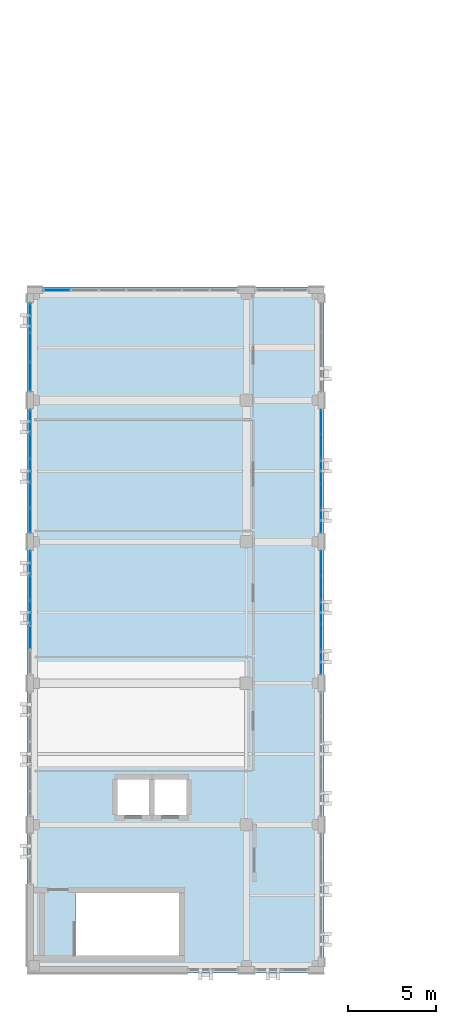
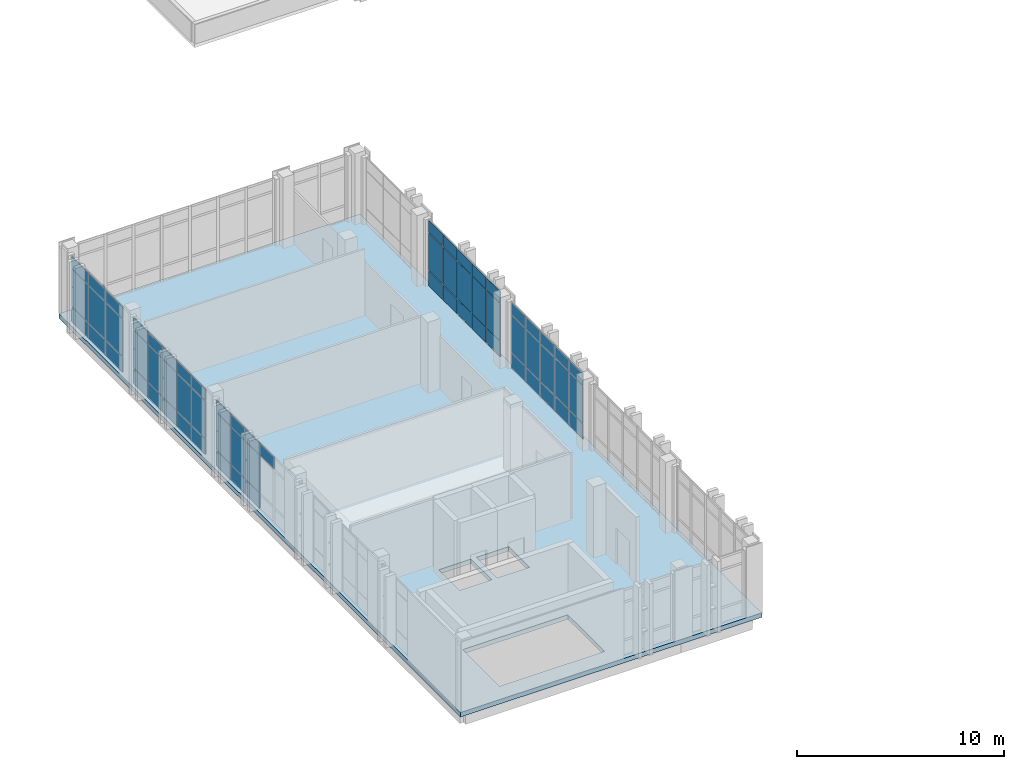
# One storey, part 32 of 48: 65 plates, 1 slab, 6 elements without a shape of their own.
"""IFC4 building model written with IfcOpenShell, lengths in metres."""

from ifc_helpers import new_model, si_unit, direction, frame, origin, origin_2d, place, context, subcontext, project, spatial, polyline, rectangle, outline, extrude, material, layer, layer_set, type_object, element, aggregate, save


model = new_model("IFC4")

# Units and contexts
model_context = context("Model", 3, precision=1e-05, world=origin(), true_north=direction((0.0, 1.0)))
body_context = subcontext(model_context, "Body", "Model", "MODEL_VIEW")
ifc_project = project(units=[si_unit("LENGTHUNIT", "METRE"), si_unit("AREAUNIT", "SQUARE_METRE"), si_unit("VOLUMEUNIT", "CUBIC_METRE"), si_unit("PLANEANGLEUNIT", "RADIAN"), si_unit("MASSUNIT", "GRAM", prefix="KILO")], contexts=[model_context])

# Site, building, storey
site_placement = place(None, origin())
site = spatial("IfcSite", under=ifc_project, at=site_placement, CompositionType="ELEMENT")
building_placement = place(site_placement, origin())
building = spatial("IfcBuilding", under=site, at=building_placement, Name="Qalavern Law Courts", CompositionType="ELEMENT")
storey_placement = place(building_placement, frame((0.0, 0.0, 31.199951171875)))
storey = spatial("IfcBuildingStorey", under=building, at=storey_placement, Name="L07", CompositionType="ELEMENT", Elevation=31.199951171875)

# Curtain wall, plates
ifc_material_1 = material(Name="Anodised aluminium and insulated glazing", Category="aluminium")
ifc_layer_1 = layer(ifc_material_1, 0.159912109375)
ifc_layer_set_1 = layer_set([ifc_layer_1], Name="Anodised aluminium and insulated glazing")
curtain_wall_type = type_object("IfcCurtainWallType", Name="ENV-CW-CHAMB", PredefinedType="USERDEFINED", material=ifc_layer_set_1)
curtain_wall_1_placement = place(storey_placement, origin())
curtain_wall_1 = element("IfcCurtainWall", 1, at=curtain_wall_1_placement, inside=storey, type_object=curtain_wall_type, Name="V3 unitised curtain wall L07 west 1", ObjectType="UNITISED CURTAIN WALL", PredefinedType="USERDEFINED")
ifc_material_2 = material(Name="Insulated low-E acoustic glazing", Category="glass")
ifc_layer_2 = layer(ifc_material_2, 0.035888671875)
ifc_layer_set_2 = layer_set([ifc_layer_2], Name="Insulated low-E acoustic glazing")
plate_type_1 = type_object("IfcPlateType", Name="ENV-CWP-36", PredefinedType="CURTAIN_PANEL", material=ifc_layer_set_2)
plate_1_placement = place(storey_placement, frame((2.177490234375, 78.0546875, 0.048095703125), z_axis=(0.0, 0.0, 1.0), x_axis=(0.0, -1.0, 0.0)))
plate_1 = element("IfcPlate", 2, at=plate_1_placement, type_object=plate_type_1, Name="CW-04 panel 1.1", PredefinedType="CURTAIN_PANEL", context=body_context, shape_type="SweptSolid", body=[
    extrude(rectangle(XDim=1.5947265625, YDim=0.035888671875, at=origin_2d()), origin(), (0.0, 0.0, 1.0), 0.8779296875),
])
plate_2_placement = place(storey_placement, frame((2.177490234375, 78.0546875, 0.97412109375), z_axis=(0.0, 0.0, 1.0), x_axis=(0.0, -1.0, 0.0)))
plate_2 = element("IfcPlate", 3, at=plate_2_placement, type_object=plate_type_1, Name="CW-04 panel 1.2", PredefinedType="CURTAIN_PANEL", context=body_context, shape_type="SweptSolid", body=[
    extrude(rectangle(XDim=1.5947265625, YDim=0.035888671875, at=origin_2d()), origin(), (0.0, 0.0, 1.0), 2.19189453125),
])
plate_3_placement = place(storey_placement, frame((2.177490234375, 78.0546875, 3.2138671875), z_axis=(0.0, 0.0, 1.0), x_axis=(0.0, -1.0, 0.0)))
plate_3 = element("IfcPlate", 4, at=plate_3_placement, type_object=plate_type_1, Name="CW-04 panel 1.3", PredefinedType="CURTAIN_PANEL", context=body_context, shape_type="SweptSolid", body=[
    extrude(rectangle(XDim=1.5947265625, YDim=0.035888671875, at=origin_2d()), origin(), (0.0, 0.0, 1.0), 0.677978515625),
])
plate_4_placement = place(storey_placement, frame((2.177490234375, 76.39990234375, 0.048095703125), z_axis=(0.0, 0.0, 1.0), x_axis=(0.0, -1.0, 0.0)))
plate_4 = element("IfcPlate", 5, at=plate_4_placement, type_object=plate_type_1, Name="CW-04 panel 2.1", PredefinedType="CURTAIN_PANEL", context=body_context, shape_type="SweptSolid", body=[
    extrude(rectangle(XDim=1.61865234375, YDim=0.035888671875, at=origin_2d()), origin(), (0.0, 0.0, 1.0), 0.8779296875),
])
plate_5_placement = place(storey_placement, frame((2.177490234375, 76.39990234375, 0.97412109375), z_axis=(0.0, 0.0, 1.0), x_axis=(0.0, -1.0, 0.0)))
plate_5 = element("IfcPlate", 6, at=plate_5_placement, type_object=plate_type_1, Name="CW-04 panel 2.2", PredefinedType="CURTAIN_PANEL", context=body_context, shape_type="SweptSolid", body=[
    extrude(rectangle(XDim=1.61865234375, YDim=0.035888671875, at=origin_2d()), origin(), (0.0, 0.0, 1.0), 2.19189453125),
])
plate_6_placement = place(storey_placement, frame((2.177490234375, 76.39990234375, 3.2138671875), z_axis=(0.0, 0.0, 1.0), x_axis=(0.0, -1.0, 0.0)))
plate_6 = element("IfcPlate", 7, at=plate_6_placement, type_object=plate_type_1, Name="CW-04 panel 2.3", PredefinedType="CURTAIN_PANEL", context=body_context, shape_type="SweptSolid", body=[
    extrude(rectangle(XDim=1.61865234375, YDim=0.035888671875, at=origin_2d()), origin(), (0.0, 0.0, 1.0), 0.677978515625),
])
plate_7_placement = place(storey_placement, frame((2.177490234375, 74.745361328125, 0.048095703125), z_axis=(0.0, 0.0, 1.0), x_axis=(0.0, -1.0, 0.0)))
plate_7 = element("IfcPlate", 8, at=plate_7_placement, type_object=plate_type_1, Name="CW-04 panel 3.1", PredefinedType="CURTAIN_PANEL", context=body_context, shape_type="SweptSolid", body=[
    extrude(rectangle(XDim=1.5947265625, YDim=0.035888671875, at=origin_2d()), origin(), (0.0, 0.0, 1.0), 0.8779296875),
])
plate_8_placement = place(storey_placement, frame((2.177490234375, 74.745361328125, 0.97412109375), z_axis=(0.0, 0.0, 1.0), x_axis=(0.0, -1.0, 0.0)))
plate_8 = element("IfcPlate", 9, at=plate_8_placement, type_object=plate_type_1, Name="CW-04 panel 3.2", PredefinedType="CURTAIN_PANEL", context=body_context, shape_type="SweptSolid", body=[
    extrude(rectangle(XDim=1.5947265625, YDim=0.035888671875, at=origin_2d()), origin(), (0.0, 0.0, 1.0), 2.19189453125),
])
plate_9_placement = place(storey_placement, frame((2.177490234375, 74.745361328125, 3.2138671875), z_axis=(0.0, 0.0, 1.0), x_axis=(0.0, -1.0, 0.0)))
plate_9 = element("IfcPlate", 10, at=plate_9_placement, type_object=plate_type_1, Name="CW-04 panel 3.3", PredefinedType="CURTAIN_PANEL", context=body_context, shape_type="SweptSolid", body=[
    extrude(rectangle(XDim=1.5947265625, YDim=0.035888671875, at=origin_2d()), origin(), (0.0, 0.0, 1.0), 0.677978515625),
])
aggregate(curtain_wall_1, [plate_1, plate_2, plate_3, plate_4, plate_5, plate_6, plate_7, plate_8, plate_9])

# Curtain wall, plate
curtain_wall_2_placement = place(storey_placement, origin())
curtain_wall_2 = element("IfcCurtainWall", 11, at=curtain_wall_2_placement, inside=storey, type_object=curtain_wall_type, Name="V3 unitised curtain wall L07 north 2", ObjectType="UNITISED CURTAIN WALL", PredefinedType="USERDEFINED")
ifc_layer_3 = layer(ifc_material_2, 0.0400390625)
ifc_layer_set_3 = layer_set([ifc_layer_3], Name="Insulated low-E acoustic glazing")
plate_type_2 = type_object("IfcPlateType", Name="ENV-CWP-40", PredefinedType="CURTAIN_PANEL", material=ifc_layer_set_3)
plate_10_placement = place(storey_placement, frame((3.69775390625, 79.62255859375, 0.048095703125), z_axis=(0.0, 0.0, 1.0), x_axis=(-1.0, 0.0, 0.0)))
plate_10 = element("IfcPlate", 12, at=plate_10_placement, type_object=plate_type_2, Name="CW-04 panel 7.1", PredefinedType="CURTAIN_PANEL", context=body_context, shape_type="SweptSolid", body=[
    extrude(rectangle(XDim=1.49951171875, YDim=0.0400390625, at=origin_2d()), origin(), (0.0, 0.0, 1.0), 0.8779296875),
])
aggregate(curtain_wall_2, [plate_10])

# Curtain wall, plates
curtain_wall_3_placement = place(storey_placement, origin())
curtain_wall_3 = element("IfcCurtainWall", 13, at=curtain_wall_3_placement, inside=storey, type_object=curtain_wall_type, Name="V3 unitised curtain wall L07 west 2", ObjectType="UNITISED CURTAIN WALL", PredefinedType="USERDEFINED")
plate_11_placement = place(storey_placement, frame((2.177490234375, 72.18798828125, 0.048095703125), z_axis=(0.0, 0.0, 1.0), x_axis=(0.0, -1.0, 0.0)))
plate_11 = element("IfcPlate", 14, at=plate_11_placement, type_object=plate_type_2, Name="CW-04 panel 1.1", PredefinedType="CURTAIN_PANEL", context=body_context, shape_type="SweptSolid", body=[
    extrude(rectangle(XDim=1.327880859375, YDim=0.0400390625, at=origin_2d()), origin(), (0.0, 0.0, 1.0), 0.8779296875),
])
plate_12_placement = place(storey_placement, frame((2.177490234375, 72.18798828125, 0.97412109375), z_axis=(0.0, 0.0, 1.0), x_axis=(0.0, -1.0, 0.0)))
plate_12 = element("IfcPlate", 15, at=plate_12_placement, type_object=plate_type_2, Name="CW-04 panel 1.2", PredefinedType="CURTAIN_PANEL", context=body_context, shape_type="SweptSolid", body=[
    extrude(rectangle(XDim=1.327880859375, YDim=0.0400390625, at=origin_2d()), origin(), (0.0, 0.0, 1.0), 2.19189453125),
])
plate_13_placement = place(storey_placement, frame((2.177490234375, 72.18798828125, 3.2138671875), z_axis=(0.0, 0.0, 1.0), x_axis=(0.0, -1.0, 0.0)))
plate_13 = element("IfcPlate", 16, at=plate_13_placement, type_object=plate_type_2, Name="CW-04 panel 1.3", PredefinedType="CURTAIN_PANEL", context=body_context, shape_type="SweptSolid", body=[
    extrude(rectangle(XDim=1.327880859375, YDim=0.0400390625, at=origin_2d()), origin(), (0.0, 0.0, 1.0), 0.677978515625),
])
plate_14_placement = place(storey_placement, frame((2.177490234375, 70.800048828125, 0.048095703125), z_axis=(0.0, 0.0, 1.0), x_axis=(0.0, -1.0, 0.0)))
plate_14 = element("IfcPlate", 17, at=plate_14_placement, type_object=plate_type_2, Name="CW-04 panel 2.1", PredefinedType="CURTAIN_PANEL", context=body_context, shape_type="SweptSolid", body=[
    extrude(rectangle(XDim=1.35205078125, YDim=0.0400390625, at=origin_2d()), origin(), (0.0, 0.0, 1.0), 0.8779296875),
])
plate_15_placement = place(storey_placement, frame((2.177490234375, 70.800048828125, 0.97412109375), z_axis=(0.0, 0.0, 1.0), x_axis=(0.0, -1.0, 0.0)))
plate_15 = element("IfcPlate", 18, at=plate_15_placement, type_object=plate_type_2, Name="CW-04 panel 2.2", PredefinedType="CURTAIN_PANEL", context=body_context, shape_type="SweptSolid", body=[
    extrude(rectangle(XDim=1.35205078125, YDim=0.0400390625, at=origin_2d()), origin(), (0.0, 0.0, 1.0), 2.19189453125),
])
plate_16_placement = place(storey_placement, frame((2.177490234375, 70.800048828125, 3.2138671875), z_axis=(0.0, 0.0, 1.0), x_axis=(0.0, -1.0, 0.0)))
plate_16 = element("IfcPlate", 19, at=plate_16_placement, type_object=plate_type_2, Name="CW-04 panel 2.3", PredefinedType="CURTAIN_PANEL", context=body_context, shape_type="SweptSolid", body=[
    extrude(rectangle(XDim=1.35205078125, YDim=0.0400390625, at=origin_2d()), origin(), (0.0, 0.0, 1.0), 0.677978515625),
])
plate_17_placement = place(storey_placement, frame((2.177490234375, 69.39990234375, 0.048095703125), z_axis=(0.0, 0.0, 1.0), x_axis=(0.0, -1.0, 0.0)))
plate_17 = element("IfcPlate", 20, at=plate_17_placement, type_object=plate_type_2, Name="CW-04 panel 3.1", PredefinedType="CURTAIN_PANEL", context=body_context, shape_type="SweptSolid", body=[
    extrude(rectangle(XDim=1.35205078125, YDim=0.0400390625, at=origin_2d()), origin(), (0.0, 0.0, 1.0), 0.8779296875),
])
plate_18_placement = place(storey_placement, frame((2.177490234375, 69.39990234375, 0.97412109375), z_axis=(0.0, 0.0, 1.0), x_axis=(0.0, -1.0, 0.0)))
plate_18 = element("IfcPlate", 21, at=plate_18_placement, type_object=plate_type_2, Name="CW-04 panel 3.2", PredefinedType="CURTAIN_PANEL", context=body_context, shape_type="SweptSolid", body=[
    extrude(rectangle(XDim=1.35205078125, YDim=0.0400390625, at=origin_2d()), origin(), (0.0, 0.0, 1.0), 2.19189453125),
])
plate_19_placement = place(storey_placement, frame((2.177490234375, 69.39990234375, 3.2138671875), z_axis=(0.0, 0.0, 1.0), x_axis=(0.0, -1.0, 0.0)))
plate_19 = element("IfcPlate", 22, at=plate_19_placement, type_object=plate_type_2, Name="CW-04 panel 3.3", PredefinedType="CURTAIN_PANEL", context=body_context, shape_type="SweptSolid", body=[
    extrude(rectangle(XDim=1.35205078125, YDim=0.0400390625, at=origin_2d()), origin(), (0.0, 0.0, 1.0), 0.677978515625),
])
plate_20_placement = place(storey_placement, frame((2.177490234375, 68.0, 0.048095703125), z_axis=(0.0, 0.0, 1.0), x_axis=(0.0, -1.0, 0.0)))
plate_20 = element("IfcPlate", 23, at=plate_20_placement, type_object=plate_type_2, Name="CW-04 panel 4.1", PredefinedType="CURTAIN_PANEL", context=body_context, shape_type="SweptSolid", body=[
    extrude(rectangle(XDim=1.35205078125, YDim=0.0400390625, at=origin_2d()), origin(), (0.0, 0.0, 1.0), 0.8779296875),
])
plate_21_placement = place(storey_placement, frame((2.177490234375, 68.0, 0.97412109375), z_axis=(0.0, 0.0, 1.0), x_axis=(0.0, -1.0, 0.0)))
plate_21 = element("IfcPlate", 24, at=plate_21_placement, type_object=plate_type_2, Name="CW-04 panel 4.2", PredefinedType="CURTAIN_PANEL", context=body_context, shape_type="SweptSolid", body=[
    extrude(rectangle(XDim=1.35205078125, YDim=0.0400390625, at=origin_2d()), origin(), (0.0, 0.0, 1.0), 2.19189453125),
])
plate_22_placement = place(storey_placement, frame((2.177490234375, 68.0, 3.2138671875), z_axis=(0.0, 0.0, 1.0), x_axis=(0.0, -1.0, 0.0)))
plate_22 = element("IfcPlate", 25, at=plate_22_placement, type_object=plate_type_2, Name="CW-04 panel 4.3", PredefinedType="CURTAIN_PANEL", context=body_context, shape_type="SweptSolid", body=[
    extrude(rectangle(XDim=1.35205078125, YDim=0.0400390625, at=origin_2d()), origin(), (0.0, 0.0, 1.0), 0.677978515625),
])
plate_23_placement = place(storey_placement, frame((2.177490234375, 66.612060546875, 0.048095703125), z_axis=(0.0, 0.0, 1.0), x_axis=(0.0, -1.0, 0.0)))
plate_23 = element("IfcPlate", 26, at=plate_23_placement, type_object=plate_type_2, Name="CW-04 panel 5.1", PredefinedType="CURTAIN_PANEL", context=body_context, shape_type="SweptSolid", body=[
    extrude(rectangle(XDim=1.327880859375, YDim=0.0400390625, at=origin_2d()), origin(), (0.0, 0.0, 1.0), 0.8779296875),
])
plate_24_placement = place(storey_placement, frame((2.177490234375, 66.612060546875, 0.97412109375), z_axis=(0.0, 0.0, 1.0), x_axis=(0.0, -1.0, 0.0)))
plate_24 = element("IfcPlate", 27, at=plate_24_placement, type_object=plate_type_2, Name="CW-04 panel 5.2", PredefinedType="CURTAIN_PANEL", context=body_context, shape_type="SweptSolid", body=[
    extrude(rectangle(XDim=1.327880859375, YDim=0.0400390625, at=origin_2d()), origin(), (0.0, 0.0, 1.0), 2.19189453125),
])
plate_25_placement = place(storey_placement, frame((2.177490234375, 66.612060546875, 3.2138671875), z_axis=(0.0, 0.0, 1.0), x_axis=(0.0, -1.0, 0.0)))
plate_25 = element("IfcPlate", 28, at=plate_25_placement, type_object=plate_type_2, Name="CW-04 panel 5.3", PredefinedType="CURTAIN_PANEL", context=body_context, shape_type="SweptSolid", body=[
    extrude(rectangle(XDim=1.327880859375, YDim=0.0400390625, at=origin_2d()), origin(), (0.0, 0.0, 1.0), 0.677978515625),
])
aggregate(curtain_wall_3, [plate_11, plate_12, plate_13, plate_14, plate_15, plate_16, plate_17, plate_18, plate_19, plate_20, plate_21, plate_22, plate_23, plate_24, plate_25])

curtain_wall_4_placement = place(storey_placement, origin())
curtain_wall_4 = element("IfcCurtainWall", 29, at=curtain_wall_4_placement, inside=storey, type_object=curtain_wall_type, Name="V3 unitised curtain wall L07 east 3", ObjectType="UNITISED CURTAIN WALL", PredefinedType="USERDEFINED")
ifc_layer_4 = layer(ifc_material_2, 0.0439453125)
ifc_layer_set_4 = layer_set([ifc_layer_4], Name="Insulated low-E acoustic glazing")
plate_type_3 = type_object("IfcPlateType", Name="ENV-CWP-44", PredefinedType="CURTAIN_PANEL", material=ifc_layer_set_4)
plate_26_placement = place(storey_placement, frame((18.62255859375, 58.612060546875, 0.048095703125), z_axis=(0.0, 0.0, 1.0), x_axis=(0.0, 1.0, 0.0)))
plate_26 = element("IfcPlate", 30, at=plate_26_placement, type_object=plate_type_3, Name="CW-04 panel 1.1", PredefinedType="CURTAIN_PANEL", context=body_context, shape_type="SweptSolid", body=[
    extrude(rectangle(XDim=1.327880859375, YDim=0.0439453125, at=origin_2d()), origin(), (0.0, 0.0, 1.0), 0.8779296875),
])
plate_27_placement = place(storey_placement, frame((18.62255859375, 58.612060546875, 0.97412109375), z_axis=(0.0, 0.0, 1.0), x_axis=(0.0, 1.0, 0.0)))
plate_27 = element("IfcPlate", 31, at=plate_27_placement, type_object=plate_type_3, Name="CW-04 panel 1.2", PredefinedType="CURTAIN_PANEL", context=body_context, shape_type="SweptSolid", body=[
    extrude(rectangle(XDim=1.327880859375, YDim=0.0439453125, at=origin_2d()), origin(), (0.0, 0.0, 1.0), 2.19189453125),
])
plate_28_placement = place(storey_placement, frame((18.62255859375, 58.612060546875, 3.2138671875), z_axis=(0.0, 0.0, 1.0), x_axis=(0.0, 1.0, 0.0)))
plate_28 = element("IfcPlate", 32, at=plate_28_placement, type_object=plate_type_3, Name="CW-04 panel 1.3", PredefinedType="CURTAIN_PANEL", context=body_context, shape_type="SweptSolid", body=[
    extrude(rectangle(XDim=1.327880859375, YDim=0.0439453125, at=origin_2d()), origin(), (0.0, 0.0, 1.0), 0.677978515625),
])
plate_29_placement = place(storey_placement, frame((18.62255859375, 60.0, 0.048095703125), z_axis=(0.0, 0.0, 1.0), x_axis=(0.0, 1.0, 0.0)))
plate_29 = element("IfcPlate", 33, at=plate_29_placement, type_object=plate_type_3, Name="CW-04 panel 2.1", PredefinedType="CURTAIN_PANEL", context=body_context, shape_type="SweptSolid", body=[
    extrude(rectangle(XDim=1.35205078125, YDim=0.0439453125, at=origin_2d()), origin(), (0.0, 0.0, 1.0), 0.8779296875),
])
plate_30_placement = place(storey_placement, frame((18.62255859375, 60.0, 0.97412109375), z_axis=(0.0, 0.0, 1.0), x_axis=(0.0, 1.0, 0.0)))
plate_30 = element("IfcPlate", 34, at=plate_30_placement, type_object=plate_type_3, Name="CW-04 panel 2.2", PredefinedType="CURTAIN_PANEL", context=body_context, shape_type="SweptSolid", body=[
    extrude(rectangle(XDim=1.35205078125, YDim=0.0439453125, at=origin_2d()), origin(), (0.0, 0.0, 1.0), 2.19189453125),
])
plate_31_placement = place(storey_placement, frame((18.62255859375, 60.0, 3.2138671875), z_axis=(0.0, 0.0, 1.0), x_axis=(0.0, 1.0, 0.0)))
plate_31 = element("IfcPlate", 35, at=plate_31_placement, type_object=plate_type_3, Name="CW-04 panel 2.3", PredefinedType="CURTAIN_PANEL", context=body_context, shape_type="SweptSolid", body=[
    extrude(rectangle(XDim=1.35205078125, YDim=0.0439453125, at=origin_2d()), origin(), (0.0, 0.0, 1.0), 0.677978515625),
])
plate_32_placement = place(storey_placement, frame((18.62255859375, 61.39990234375, 0.048095703125), z_axis=(0.0, 0.0, 1.0), x_axis=(0.0, 1.0, 0.0)))
plate_32 = element("IfcPlate", 36, at=plate_32_placement, type_object=plate_type_3, Name="CW-04 panel 3.1", PredefinedType="CURTAIN_PANEL", context=body_context, shape_type="SweptSolid", body=[
    extrude(rectangle(XDim=1.35205078125, YDim=0.0439453125, at=origin_2d()), origin(), (0.0, 0.0, 1.0), 0.8779296875),
])
plate_33_placement = place(storey_placement, frame((18.62255859375, 61.39990234375, 0.97412109375), z_axis=(0.0, 0.0, 1.0), x_axis=(0.0, 1.0, 0.0)))
plate_33 = element("IfcPlate", 37, at=plate_33_placement, type_object=plate_type_3, Name="CW-04 panel 3.2", PredefinedType="CURTAIN_PANEL", context=body_context, shape_type="SweptSolid", body=[
    extrude(rectangle(XDim=1.35205078125, YDim=0.0439453125, at=origin_2d()), origin(), (0.0, 0.0, 1.0), 2.19189453125),
])
plate_34_placement = place(storey_placement, frame((18.62255859375, 61.39990234375, 3.2138671875), z_axis=(0.0, 0.0, 1.0), x_axis=(0.0, 1.0, 0.0)))
plate_34 = element("IfcPlate", 38, at=plate_34_placement, type_object=plate_type_3, Name="CW-04 panel 3.3", PredefinedType="CURTAIN_PANEL", context=body_context, shape_type="SweptSolid", body=[
    extrude(rectangle(XDim=1.35205078125, YDim=0.0439453125, at=origin_2d()), origin(), (0.0, 0.0, 1.0), 0.677978515625),
])
plate_35_placement = place(storey_placement, frame((18.62255859375, 62.800048828125, 0.048095703125), z_axis=(0.0, 0.0, 1.0), x_axis=(0.0, 1.0, 0.0)))
plate_35 = element("IfcPlate", 39, at=plate_35_placement, type_object=plate_type_3, Name="CW-04 panel 4.1", PredefinedType="CURTAIN_PANEL", context=body_context, shape_type="SweptSolid", body=[
    extrude(rectangle(XDim=1.35205078125, YDim=0.0439453125, at=origin_2d()), origin(), (0.0, 0.0, 1.0), 0.8779296875),
])
plate_36_placement = place(storey_placement, frame((18.62255859375, 62.800048828125, 0.97412109375), z_axis=(0.0, 0.0, 1.0), x_axis=(0.0, 1.0, 0.0)))
plate_36 = element("IfcPlate", 40, at=plate_36_placement, type_object=plate_type_3, Name="CW-04 panel 4.2", PredefinedType="CURTAIN_PANEL", context=body_context, shape_type="SweptSolid", body=[
    extrude(rectangle(XDim=1.35205078125, YDim=0.0439453125, at=origin_2d()), origin(), (0.0, 0.0, 1.0), 2.19189453125),
])
plate_37_placement = place(storey_placement, frame((18.62255859375, 62.800048828125, 3.2138671875), z_axis=(0.0, 0.0, 1.0), x_axis=(0.0, 1.0, 0.0)))
plate_37 = element("IfcPlate", 41, at=plate_37_placement, type_object=plate_type_3, Name="CW-04 panel 4.3", PredefinedType="CURTAIN_PANEL", context=body_context, shape_type="SweptSolid", body=[
    extrude(rectangle(XDim=1.35205078125, YDim=0.0439453125, at=origin_2d()), origin(), (0.0, 0.0, 1.0), 0.677978515625),
])
plate_38_placement = place(storey_placement, frame((18.62255859375, 64.18798828125, 0.048095703125), z_axis=(0.0, 0.0, 1.0), x_axis=(0.0, 1.0, 0.0)))
plate_38 = element("IfcPlate", 42, at=plate_38_placement, type_object=plate_type_3, Name="CW-04 panel 5.1", PredefinedType="CURTAIN_PANEL", context=body_context, shape_type="SweptSolid", body=[
    extrude(rectangle(XDim=1.327880859375, YDim=0.0439453125, at=origin_2d()), origin(), (0.0, 0.0, 1.0), 0.8779296875),
])
plate_39_placement = place(storey_placement, frame((18.62255859375, 64.18798828125, 0.97412109375), z_axis=(0.0, 0.0, 1.0), x_axis=(0.0, 1.0, 0.0)))
plate_39 = element("IfcPlate", 43, at=plate_39_placement, type_object=plate_type_3, Name="CW-04 panel 5.2", PredefinedType="CURTAIN_PANEL", context=body_context, shape_type="SweptSolid", body=[
    extrude(rectangle(XDim=1.327880859375, YDim=0.0439453125, at=origin_2d()), origin(), (0.0, 0.0, 1.0), 2.19189453125),
])
plate_40_placement = place(storey_placement, frame((18.62255859375, 64.18798828125, 3.2138671875), z_axis=(0.0, 0.0, 1.0), x_axis=(0.0, 1.0, 0.0)))
plate_40 = element("IfcPlate", 44, at=plate_40_placement, type_object=plate_type_3, Name="CW-04 panel 5.3", PredefinedType="CURTAIN_PANEL", context=body_context, shape_type="SweptSolid", body=[
    extrude(rectangle(XDim=1.327880859375, YDim=0.0439453125, at=origin_2d()), origin(), (0.0, 0.0, 1.0), 0.677978515625),
])
aggregate(curtain_wall_4, [plate_26, plate_27, plate_28, plate_29, plate_30, plate_31, plate_32, plate_33, plate_34, plate_35, plate_36, plate_37, plate_38, plate_39, plate_40])

curtain_wall_5_placement = place(storey_placement, origin())
curtain_wall_5 = element("IfcCurtainWall", 45, at=curtain_wall_5_placement, inside=storey, type_object=curtain_wall_type, Name="V3 unitised curtain wall L07 west 3", ObjectType="UNITISED CURTAIN WALL", PredefinedType="USERDEFINED")
plate_41_placement = place(storey_placement, frame((2.177490234375, 64.18798828125, 0.048095703125), z_axis=(0.0, 0.0, 1.0), x_axis=(0.0, -1.0, 0.0)))
plate_41 = element("IfcPlate", 46, at=plate_41_placement, type_object=plate_type_3, Name="CW-04 panel 1.1", PredefinedType="CURTAIN_PANEL", context=body_context, shape_type="SweptSolid", body=[
    extrude(rectangle(XDim=1.327880859375, YDim=0.0439453125, at=origin_2d()), origin(), (0.0, 0.0, 1.0), 0.8779296875),
])
plate_42_placement = place(storey_placement, frame((2.177490234375, 64.18798828125, 0.97412109375), z_axis=(0.0, 0.0, 1.0), x_axis=(0.0, -1.0, 0.0)))
plate_42 = element("IfcPlate", 47, at=plate_42_placement, type_object=plate_type_3, Name="CW-04 panel 1.2", PredefinedType="CURTAIN_PANEL", context=body_context, shape_type="SweptSolid", body=[
    extrude(rectangle(XDim=1.327880859375, YDim=0.0439453125, at=origin_2d()), origin(), (0.0, 0.0, 1.0), 2.19189453125),
])
plate_43_placement = place(storey_placement, frame((2.177490234375, 64.18798828125, 3.2138671875), z_axis=(0.0, 0.0, 1.0), x_axis=(0.0, -1.0, 0.0)))
plate_43 = element("IfcPlate", 48, at=plate_43_placement, type_object=plate_type_3, Name="CW-04 panel 1.3", PredefinedType="CURTAIN_PANEL", context=body_context, shape_type="SweptSolid", body=[
    extrude(rectangle(XDim=1.327880859375, YDim=0.0439453125, at=origin_2d()), origin(), (0.0, 0.0, 1.0), 0.677978515625),
])
plate_44_placement = place(storey_placement, frame((2.177490234375, 62.800048828125, 0.048095703125), z_axis=(0.0, 0.0, 1.0), x_axis=(0.0, -1.0, 0.0)))
plate_44 = element("IfcPlate", 49, at=plate_44_placement, type_object=plate_type_3, Name="CW-04 panel 2.1", PredefinedType="CURTAIN_PANEL", context=body_context, shape_type="SweptSolid", body=[
    extrude(rectangle(XDim=1.35205078125, YDim=0.0439453125, at=origin_2d()), origin(), (0.0, 0.0, 1.0), 0.8779296875),
])
plate_45_placement = place(storey_placement, frame((2.177490234375, 62.800048828125, 0.97412109375), z_axis=(0.0, 0.0, 1.0), x_axis=(0.0, -1.0, 0.0)))
plate_45 = element("IfcPlate", 50, at=plate_45_placement, type_object=plate_type_3, Name="CW-04 panel 2.2", PredefinedType="CURTAIN_PANEL", context=body_context, shape_type="SweptSolid", body=[
    extrude(rectangle(XDim=1.35205078125, YDim=0.0439453125, at=origin_2d()), origin(), (0.0, 0.0, 1.0), 2.19189453125),
])
plate_46_placement = place(storey_placement, frame((2.177490234375, 62.800048828125, 3.2138671875), z_axis=(0.0, 0.0, 1.0), x_axis=(0.0, -1.0, 0.0)))
plate_46 = element("IfcPlate", 51, at=plate_46_placement, type_object=plate_type_3, Name="CW-04 panel 2.3", PredefinedType="CURTAIN_PANEL", context=body_context, shape_type="SweptSolid", body=[
    extrude(rectangle(XDim=1.35205078125, YDim=0.0439453125, at=origin_2d()), origin(), (0.0, 0.0, 1.0), 0.677978515625),
])
plate_47_placement = place(storey_placement, frame((2.177490234375, 61.39990234375, 0.048095703125), z_axis=(0.0, 0.0, 1.0), x_axis=(0.0, -1.0, 0.0)))
plate_47 = element("IfcPlate", 52, at=plate_47_placement, type_object=plate_type_3, Name="CW-04 panel 3.1", PredefinedType="CURTAIN_PANEL", context=body_context, shape_type="SweptSolid", body=[
    extrude(rectangle(XDim=1.35205078125, YDim=0.0439453125, at=origin_2d()), origin(), (0.0, 0.0, 1.0), 0.8779296875),
])
plate_48_placement = place(storey_placement, frame((2.177490234375, 61.39990234375, 0.97412109375), z_axis=(0.0, 0.0, 1.0), x_axis=(0.0, -1.0, 0.0)))
plate_48 = element("IfcPlate", 53, at=plate_48_placement, type_object=plate_type_3, Name="CW-04 panel 3.2", PredefinedType="CURTAIN_PANEL", context=body_context, shape_type="SweptSolid", body=[
    extrude(rectangle(XDim=1.35205078125, YDim=0.0439453125, at=origin_2d()), origin(), (0.0, 0.0, 1.0), 2.19189453125),
])
plate_49_placement = place(storey_placement, frame((2.177490234375, 61.39990234375, 3.2138671875), z_axis=(0.0, 0.0, 1.0), x_axis=(0.0, -1.0, 0.0)))
plate_49 = element("IfcPlate", 54, at=plate_49_placement, type_object=plate_type_3, Name="CW-04 panel 3.3", PredefinedType="CURTAIN_PANEL", context=body_context, shape_type="SweptSolid", body=[
    extrude(rectangle(XDim=1.35205078125, YDim=0.0439453125, at=origin_2d()), origin(), (0.0, 0.0, 1.0), 0.677978515625),
])
plate_50_placement = place(storey_placement, frame((2.177490234375, 60.0, 3.2138671875), z_axis=(0.0, 0.0, 1.0), x_axis=(0.0, -1.0, 0.0)))
plate_50 = element("IfcPlate", 55, at=plate_50_placement, type_object=plate_type_3, Name="CW-04 panel 4.3", PredefinedType="CURTAIN_PANEL", context=body_context, shape_type="SweptSolid", body=[
    extrude(rectangle(XDim=1.35205078125, YDim=0.0439453125, at=origin_2d()), origin(), (0.0, 0.0, 1.0), 0.677978515625),
])
aggregate(curtain_wall_5, [plate_41, plate_42, plate_43, plate_44, plate_45, plate_46, plate_47, plate_48, plate_49, plate_50])

curtain_wall_6_placement = place(storey_placement, origin())
curtain_wall_6 = element("IfcCurtainWall", 56, at=curtain_wall_6_placement, inside=storey, type_object=curtain_wall_type, Name="V3 unitised curtain wall L07 east 4", ObjectType="UNITISED CURTAIN WALL", PredefinedType="USERDEFINED")
ifc_layer_5 = layer(ifc_material_2, 0.048095703125)
ifc_layer_set_5 = layer_set([ifc_layer_5], Name="Insulated low-E acoustic glazing")
plate_type_4 = type_object("IfcPlateType", Name="ENV-CWP-48", PredefinedType="CURTAIN_PANEL", material=ifc_layer_set_5)
plate_51_placement = place(storey_placement, frame((18.62255859375, 66.612060546875, 0.048095703125), z_axis=(0.0, 0.0, 1.0), x_axis=(0.0, 1.0, 0.0)))
plate_51 = element("IfcPlate", 57, at=plate_51_placement, type_object=plate_type_4, Name="CW-04 panel 1.1", PredefinedType="CURTAIN_PANEL", context=body_context, shape_type="SweptSolid", body=[
    extrude(rectangle(XDim=1.327880859375, YDim=0.048095703125, at=origin_2d()), origin(), (0.0, 0.0, 1.0), 0.8779296875),
])
plate_52_placement = place(storey_placement, frame((18.62255859375, 66.612060546875, 0.97412109375), z_axis=(0.0, 0.0, 1.0), x_axis=(0.0, 1.0, 0.0)))
plate_52 = element("IfcPlate", 58, at=plate_52_placement, type_object=plate_type_4, Name="CW-04 panel 1.2", PredefinedType="CURTAIN_PANEL", context=body_context, shape_type="SweptSolid", body=[
    extrude(rectangle(XDim=1.327880859375, YDim=0.048095703125, at=origin_2d()), origin(), (0.0, 0.0, 1.0), 2.19189453125),
])
plate_53_placement = place(storey_placement, frame((18.62255859375, 66.612060546875, 3.2138671875), z_axis=(0.0, 0.0, 1.0), x_axis=(0.0, 1.0, 0.0)))
plate_53 = element("IfcPlate", 59, at=plate_53_placement, type_object=plate_type_4, Name="CW-04 panel 1.3", PredefinedType="CURTAIN_PANEL", context=body_context, shape_type="SweptSolid", body=[
    extrude(rectangle(XDim=1.327880859375, YDim=0.048095703125, at=origin_2d()), origin(), (0.0, 0.0, 1.0), 0.677978515625),
])
plate_54_placement = place(storey_placement, frame((18.62255859375, 68.0, 0.048095703125), z_axis=(0.0, 0.0, 1.0), x_axis=(0.0, 1.0, 0.0)))
plate_54 = element("IfcPlate", 60, at=plate_54_placement, type_object=plate_type_4, Name="CW-04 panel 2.1", PredefinedType="CURTAIN_PANEL", context=body_context, shape_type="SweptSolid", body=[
    extrude(rectangle(XDim=1.35205078125, YDim=0.048095703125, at=origin_2d()), origin(), (0.0, 0.0, 1.0), 0.8779296875),
])
plate_55_placement = place(storey_placement, frame((18.62255859375, 68.0, 0.97412109375), z_axis=(0.0, 0.0, 1.0), x_axis=(0.0, 1.0, 0.0)))
plate_55 = element("IfcPlate", 61, at=plate_55_placement, type_object=plate_type_4, Name="CW-04 panel 2.2", PredefinedType="CURTAIN_PANEL", context=body_context, shape_type="SweptSolid", body=[
    extrude(rectangle(XDim=1.35205078125, YDim=0.048095703125, at=origin_2d()), origin(), (0.0, 0.0, 1.0), 2.19189453125),
])
plate_56_placement = place(storey_placement, frame((18.62255859375, 68.0, 3.2138671875), z_axis=(0.0, 0.0, 1.0), x_axis=(0.0, 1.0, 0.0)))
plate_56 = element("IfcPlate", 62, at=plate_56_placement, type_object=plate_type_4, Name="CW-04 panel 2.3", PredefinedType="CURTAIN_PANEL", context=body_context, shape_type="SweptSolid", body=[
    extrude(rectangle(XDim=1.35205078125, YDim=0.048095703125, at=origin_2d()), origin(), (0.0, 0.0, 1.0), 0.677978515625),
])
plate_57_placement = place(storey_placement, frame((18.62255859375, 69.39990234375, 0.048095703125), z_axis=(0.0, 0.0, 1.0), x_axis=(0.0, 1.0, 0.0)))
plate_57 = element("IfcPlate", 63, at=plate_57_placement, type_object=plate_type_4, Name="CW-04 panel 3.1", PredefinedType="CURTAIN_PANEL", context=body_context, shape_type="SweptSolid", body=[
    extrude(rectangle(XDim=1.35205078125, YDim=0.048095703125, at=origin_2d()), origin(), (0.0, 0.0, 1.0), 0.8779296875),
])
plate_58_placement = place(storey_placement, frame((18.62255859375, 69.39990234375, 0.97412109375), z_axis=(0.0, 0.0, 1.0), x_axis=(0.0, 1.0, 0.0)))
plate_58 = element("IfcPlate", 64, at=plate_58_placement, type_object=plate_type_4, Name="CW-04 panel 3.2", PredefinedType="CURTAIN_PANEL", context=body_context, shape_type="SweptSolid", body=[
    extrude(rectangle(XDim=1.35205078125, YDim=0.048095703125, at=origin_2d()), origin(), (0.0, 0.0, 1.0), 2.19189453125),
])
plate_59_placement = place(storey_placement, frame((18.62255859375, 69.39990234375, 3.2138671875), z_axis=(0.0, 0.0, 1.0), x_axis=(0.0, 1.0, 0.0)))
plate_59 = element("IfcPlate", 65, at=plate_59_placement, type_object=plate_type_4, Name="CW-04 panel 3.3", PredefinedType="CURTAIN_PANEL", context=body_context, shape_type="SweptSolid", body=[
    extrude(rectangle(XDim=1.35205078125, YDim=0.048095703125, at=origin_2d()), origin(), (0.0, 0.0, 1.0), 0.677978515625),
])
plate_60_placement = place(storey_placement, frame((18.62255859375, 70.800048828125, 0.048095703125), z_axis=(0.0, 0.0, 1.0), x_axis=(0.0, 1.0, 0.0)))
plate_60 = element("IfcPlate", 66, at=plate_60_placement, type_object=plate_type_4, Name="CW-04 panel 4.1", PredefinedType="CURTAIN_PANEL", context=body_context, shape_type="SweptSolid", body=[
    extrude(rectangle(XDim=1.35205078125, YDim=0.048095703125, at=origin_2d()), origin(), (0.0, 0.0, 1.0), 0.8779296875),
])
plate_61_placement = place(storey_placement, frame((18.62255859375, 70.800048828125, 0.97412109375), z_axis=(0.0, 0.0, 1.0), x_axis=(0.0, 1.0, 0.0)))
plate_61 = element("IfcPlate", 67, at=plate_61_placement, type_object=plate_type_4, Name="CW-04 panel 4.2", PredefinedType="CURTAIN_PANEL", context=body_context, shape_type="SweptSolid", body=[
    extrude(rectangle(XDim=1.35205078125, YDim=0.048095703125, at=origin_2d()), origin(), (0.0, 0.0, 1.0), 2.19189453125),
])
plate_62_placement = place(storey_placement, frame((18.62255859375, 70.800048828125, 3.2138671875), z_axis=(0.0, 0.0, 1.0), x_axis=(0.0, 1.0, 0.0)))
plate_62 = element("IfcPlate", 68, at=plate_62_placement, type_object=plate_type_4, Name="CW-04 panel 4.3", PredefinedType="CURTAIN_PANEL", context=body_context, shape_type="SweptSolid", body=[
    extrude(rectangle(XDim=1.35205078125, YDim=0.048095703125, at=origin_2d()), origin(), (0.0, 0.0, 1.0), 0.677978515625),
])
plate_63_placement = place(storey_placement, frame((18.62255859375, 72.18798828125, 0.048095703125), z_axis=(0.0, 0.0, 1.0), x_axis=(0.0, 1.0, 0.0)))
plate_63 = element("IfcPlate", 69, at=plate_63_placement, type_object=plate_type_4, Name="CW-04 panel 5.1", PredefinedType="CURTAIN_PANEL", context=body_context, shape_type="SweptSolid", body=[
    extrude(rectangle(XDim=1.327880859375, YDim=0.048095703125, at=origin_2d()), origin(), (0.0, 0.0, 1.0), 0.8779296875),
])
plate_64_placement = place(storey_placement, frame((18.62255859375, 72.18798828125, 0.97412109375), z_axis=(0.0, 0.0, 1.0), x_axis=(0.0, 1.0, 0.0)))
plate_64 = element("IfcPlate", 70, at=plate_64_placement, type_object=plate_type_4, Name="CW-04 panel 5.2", PredefinedType="CURTAIN_PANEL", context=body_context, shape_type="SweptSolid", body=[
    extrude(rectangle(XDim=1.327880859375, YDim=0.048095703125, at=origin_2d()), origin(), (0.0, 0.0, 1.0), 2.19189453125),
])
plate_65_placement = place(storey_placement, frame((18.62255859375, 72.18798828125, 3.2138671875), z_axis=(0.0, 0.0, 1.0), x_axis=(0.0, 1.0, 0.0)))
plate_65 = element("IfcPlate", 71, at=plate_65_placement, type_object=plate_type_4, Name="CW-04 panel 5.3", PredefinedType="CURTAIN_PANEL", context=body_context, shape_type="SweptSolid", body=[
    extrude(rectangle(XDim=1.327880859375, YDim=0.048095703125, at=origin_2d()), origin(), (0.0, 0.0, 1.0), 0.677978515625),
])
aggregate(curtain_wall_6, [plate_51, plate_52, plate_53, plate_54, plate_55, plate_56, plate_57, plate_58, plate_59, plate_60, plate_61, plate_62, plate_63, plate_64, plate_65])

# Slab
ifc_material_3 = material(Name="Concrete C35/45", Category="concrete")
ifc_layer_6 = layer(ifc_material_3, 0.264892578125)
ifc_layer_set_6 = layer_set([ifc_layer_6], Name="Concrete C35/45")
slab_type = type_object("IfcSlabType", Name="STR-SLB-L07-265", PredefinedType="FLOOR", material=ifc_layer_set_6)
slab_placement = place(storey_placement, frame((0.0, 0.0, -0.264892578125)))
element("IfcSlab", 72, at=slab_placement, inside=storey, type_object=slab_type, Name="V3 floor slab L07", PredefinedType="FLOOR", context=body_context, shape_type="SweptSolid", body=[
    extrude(outline(polyline([(2.0, 41.02001953125), (18.800048828125, 41.02001953125), (18.800048828125, 79.800048828125), (2.0, 79.800048828125), (2.0, 41.02001953125)]), holes=[polyline([(4.739990234375, 42.0), (10.60009765625, 42.0), (10.60009765625, 45.550048828125), (4.739990234375, 45.550048828125), (4.739990234375, 42.0)]), polyline([(7.10009765625, 49.949951171875), (8.89990234375, 49.949951171875), (8.89990234375, 51.949951171875), (7.10009765625, 51.949951171875), (7.10009765625, 49.949951171875)]), polyline([(9.199951171875, 49.949951171875), (11.0, 49.949951171875), (11.0, 51.949951171875), (9.199951171875, 51.949951171875), (9.199951171875, 49.949951171875)])]), origin(), (0.0, 0.0, 1.0), 0.264892578125),
])

save(model, "model.ifc")
